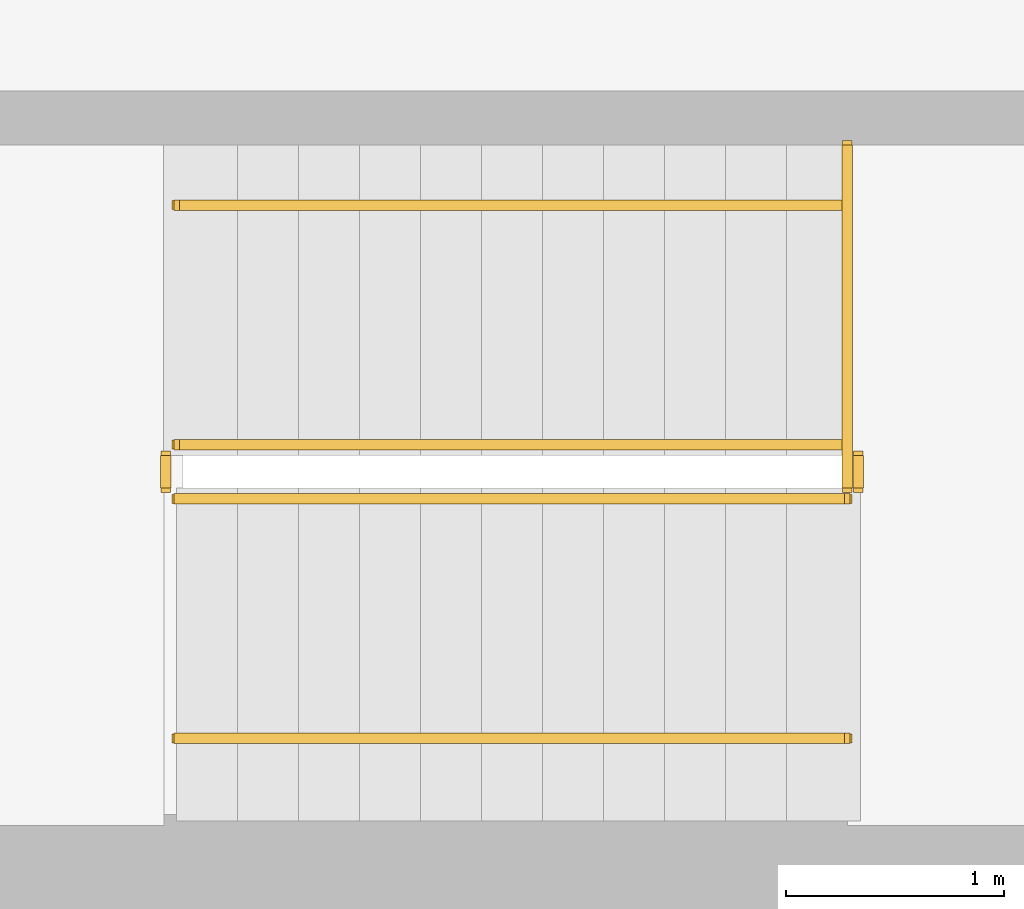
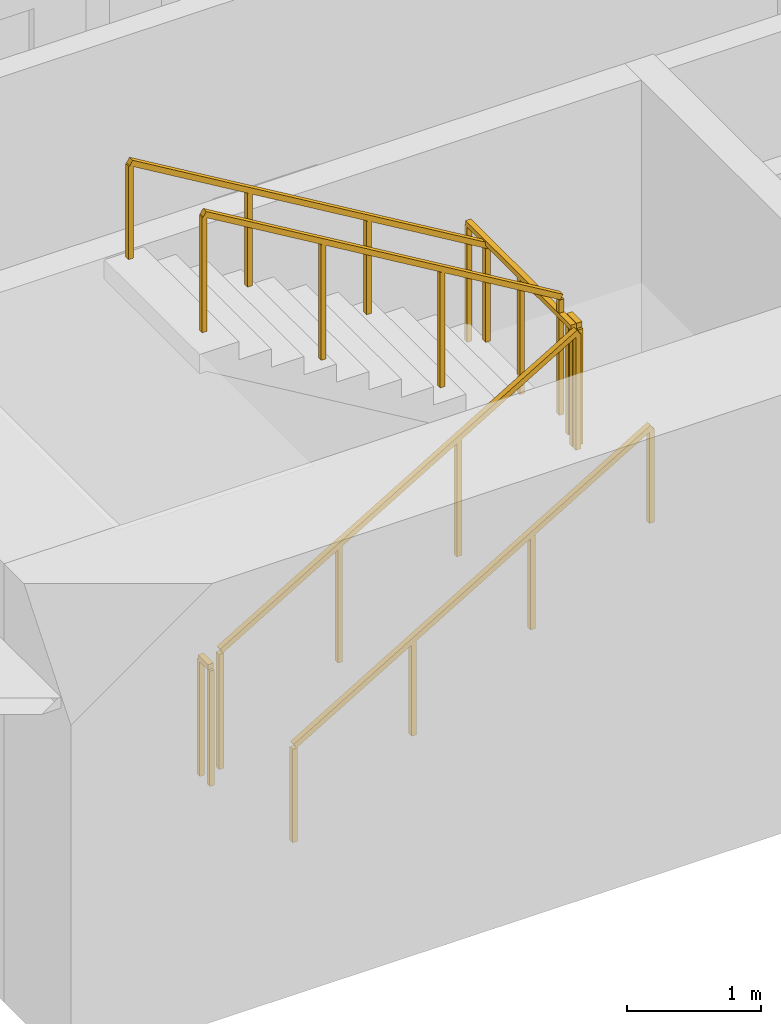
# One storey, part 13 of 16: 7 railings.
"""IFC4 building model written with IfcOpenShell, lengths in metres."""

from ifc_helpers import new_model, si_unit, direction, frame, origin, origin_2d, place, context, subcontext, project, spatial, rectangle, extrude, material, type_object, element, save


model = new_model("IFC4")

# Units and contexts
model_context = context("Model", 3, precision=1e-05, world=origin(), true_north=direction((0.0, 1.0)))
body_context = subcontext(model_context, "Body", "Model", "MODEL_VIEW")
ifc_project = project(units=[si_unit("LENGTHUNIT", "METRE"), si_unit("AREAUNIT", "SQUARE_METRE"), si_unit("VOLUMEUNIT", "CUBIC_METRE"), si_unit("PLANEANGLEUNIT", "RADIAN"), si_unit("MASSUNIT", "GRAM", prefix="KILO")], contexts=[model_context])

# Site, building, storey
site_placement = place(None, origin())
site = spatial("IfcSite", under=ifc_project, at=site_placement, CompositionType="ELEMENT")
building_placement = place(site_placement, origin())
building = spatial("IfcBuilding", under=site, at=building_placement, Name="Sennacour Bend Tower", CompositionType="ELEMENT")
storey_placement = place(building_placement, frame((0.0, 0.0, 171.0)))
storey = spatial("IfcBuildingStorey", under=building, at=storey_placement, Name="L39", CompositionType="ELEMENT", Elevation=171.0)

# Railings
ifc_material = material(Name="Stainless steel", Category="steel")
railing_type_1 = type_object("IfcRailingType", Name="RL-GUARD-1100", PredefinedType="GUARDRAIL", material=ifc_material)
railing_1_placement = place(storey_placement, frame((56.699951171875, 2.449951171875, 0.166748046875)))
element("IfcRailing", 1, at=railing_1_placement, inside=storey, type_object=railing_type_1, Name="L39 SA1 stair guard 1", PredefinedType="GUARDRAIL", context=body_context, shape_type="SweptSolid", body=[
    extrude(rectangle(XDim=0.048095703125, YDim=0.048095703125, at=origin_2d()), frame((0.0, 0.0, 1.076171875), z_axis=(0.859308565015, 0.0, 0.511457515432), x_axis=(0.0, 1.0, 0.0)), (0.0, 0.0, 1.0), 3.58447265625),
    extrude(rectangle(XDim=0.0419921875, YDim=0.0419921875, at=origin_2d()), origin(), (0.0, 0.0, 1.0), 1.052001953125),
    extrude(rectangle(XDim=0.0419921875, YDim=0.0419921875, at=origin_2d()), frame((1.026611328125, 0.0, 0.611083984375)), (0.0, 0.0, 1.0), 1.052001953125),
    extrude(rectangle(XDim=0.0419921875, YDim=0.0419921875, at=origin_2d()), frame((2.053466796875, 0.0, 1.22216796875)), (0.0, 0.0, 1.0), 1.052001953125),
    extrude(rectangle(XDim=0.0419921875, YDim=0.0419921875, at=origin_2d()), frame((3.080078125, 0.0, 1.833251953125)), (0.0, 0.0, 1.0), 1.052001953125),
])
railing_2_placement = place(storey_placement, frame((59.830078125, 2.5, 2.0)))
element("IfcRailing", 2, at=railing_2_placement, inside=storey, type_object=railing_type_1, Name="L39 SA1 stair guard 2", PredefinedType="GUARDRAIL", context=body_context, shape_type="SweptSolid", body=[
    extrude(rectangle(XDim=0.048095703125, YDim=0.048095703125, at=origin_2d()), frame((0.0, 0.0, 1.076171875), z_axis=(0.0, 1.0, 0.0), x_axis=(-1.0, 0.0, 0.0)), (0.0, 0.0, 1.0), 0.14990234375),
    extrude(rectangle(XDim=0.0419921875, YDim=0.0419921875, at=origin_2d()), origin(), (0.0, 0.0, 1.0), 1.052001953125),
    extrude(rectangle(XDim=0.0419921875, YDim=0.0419921875, at=origin_2d()), frame((0.0, 0.14990234375, 0.0)), (0.0, 0.0, 1.0), 1.052001953125),
])
railing_3_placement = place(storey_placement, frame((59.780029296875, 2.699951171875, 2.166748046875)))
element("IfcRailing", 3, at=railing_3_placement, inside=storey, type_object=railing_type_1, Name="L39 SA1 stair guard 4", PredefinedType="GUARDRAIL", context=body_context, shape_type="SweptSolid", body=[
    extrude(rectangle(XDim=0.048095703125, YDim=0.048095703125, at=origin_2d()), frame((0.0, 0.0, 1.076171875), z_axis=(-0.859308565015, 0.0, 0.511457515432), x_axis=(0.0, -1.0, 0.0)), (0.0, 0.0, 1.0), 3.58447265625),
    extrude(rectangle(XDim=0.0419921875, YDim=0.0419921875, at=origin_2d()), origin(), (0.0, 0.0, 1.0), 1.052001953125),
    extrude(rectangle(XDim=0.0419921875, YDim=0.0419921875, at=origin_2d()), frame((-1.026611328125, 0.0, 0.611083984375)), (0.0, 0.0, 1.0), 1.052001953125),
    extrude(rectangle(XDim=0.0419921875, YDim=0.0419921875, at=origin_2d()), frame((-2.053466796875, 0.0, 1.22216796875)), (0.0, 0.0, 1.0), 1.052001953125),
    extrude(rectangle(XDim=0.0419921875, YDim=0.0419921875, at=origin_2d()), frame((-3.080078125, 0.0, 1.833251953125)), (0.0, 0.0, 1.0), 1.052001953125),
])
railing_4_placement = place(storey_placement, frame((56.64990234375, 2.5, 0.0)))
element("IfcRailing", 4, at=railing_4_placement, inside=storey, type_object=railing_type_1, Name="L39 SA1 stair guard 5", PredefinedType="GUARDRAIL", context=body_context, shape_type="SweptSolid", body=[
    extrude(rectangle(XDim=0.048095703125, YDim=0.048095703125, at=origin_2d()), frame((0.0, 0.0, 1.076171875), z_axis=(0.0, 1.0, 0.0), x_axis=(-1.0, 0.0, 0.0)), (0.0, 0.0, 1.0), 0.14990234375),
    extrude(rectangle(XDim=0.0419921875, YDim=0.0419921875, at=origin_2d()), origin(), (0.0, 0.0, 1.0), 1.052001953125),
    extrude(rectangle(XDim=0.0419921875, YDim=0.0419921875, at=origin_2d()), frame((0.0, 0.14990234375, 0.0)), (0.0, 0.0, 1.0), 1.052001953125),
])
railing_5_placement = place(storey_placement, frame((59.780029296875, 2.5, 2.0)))
element("IfcRailing", 5, at=railing_5_placement, inside=storey, type_object=railing_type_1, Name="L39 SA1 landing edge guard 59", PredefinedType="GUARDRAIL", context=body_context, shape_type="SweptSolid", body=[
    extrude(rectangle(XDim=0.048095703125, YDim=0.048095703125, at=origin_2d()), frame((0.0, 0.0, 1.076171875), z_axis=(0.0, 1.0, 0.0), x_axis=(-1.0, 0.0, 0.0)), (0.0, 0.0, 1.0), 1.574951171875),
    extrude(rectangle(XDim=0.0419921875, YDim=0.0419921875, at=origin_2d()), origin(), (0.0, 0.0, 1.0), 1.052001953125),
    extrude(rectangle(XDim=0.0419921875, YDim=0.0419921875, at=origin_2d()), frame((0.0, 0.78759765625, 0.0)), (0.0, 0.0, 1.0), 1.052001953125),
    extrude(rectangle(XDim=0.0419921875, YDim=0.0419921875, at=origin_2d()), frame((0.0, 1.574951171875, 0.0)), (0.0, 0.0, 1.0), 1.052001953125),
])
railing_type_2 = type_object("IfcRailingType", Name="RL-HANDRAIL-900", PredefinedType="HANDRAIL", material=ifc_material)
railing_6_placement = place(storey_placement, frame((56.699951171875, 1.35009765625, 0.166748046875)))
element("IfcRailing", 6, at=railing_6_placement, inside=storey, type_object=railing_type_2, Name="L39 SA1 stair handrail 1", PredefinedType="HANDRAIL", context=body_context, shape_type="SweptSolid", body=[
    extrude(rectangle(XDim=0.048095703125, YDim=0.048095703125, at=origin_2d()), frame((0.0, 0.0, 0.8759765625), z_axis=(0.859308565015, 0.0, 0.511457515432), x_axis=(0.0, 1.0, 0.0)), (0.0, 0.0, 1.0), 3.58447265625),
    extrude(rectangle(XDim=0.0419921875, YDim=0.0419921875, at=origin_2d()), origin(), (0.0, 0.0, 1.0), 0.851806640625),
    extrude(rectangle(XDim=0.0419921875, YDim=0.0419921875, at=origin_2d()), frame((1.026611328125, 0.0, 0.611083984375)), (0.0, 0.0, 1.0), 0.851806640625),
    extrude(rectangle(XDim=0.0419921875, YDim=0.0419921875, at=origin_2d()), frame((2.053466796875, 0.0, 1.22216796875)), (0.0, 0.0, 1.0), 0.851806640625),
    extrude(rectangle(XDim=0.0419921875, YDim=0.0419921875, at=origin_2d()), frame((3.080078125, 0.0, 1.833251953125)), (0.0, 0.0, 1.0), 0.851806640625),
])
railing_7_placement = place(storey_placement, frame((59.780029296875, 3.800048828125, 2.166748046875)))
element("IfcRailing", 7, at=railing_7_placement, inside=storey, type_object=railing_type_2, Name="L39 SA1 stair handrail 2", PredefinedType="HANDRAIL", context=body_context, shape_type="SweptSolid", body=[
    extrude(rectangle(XDim=0.048095703125, YDim=0.048095703125, at=origin_2d()), frame((0.0, 0.0, 0.8759765625), z_axis=(-0.859308565015, 0.0, 0.511457515432), x_axis=(0.0, -1.0, 0.0)), (0.0, 0.0, 1.0), 3.58447265625),
    extrude(rectangle(XDim=0.0419921875, YDim=0.0419921875, at=origin_2d()), origin(), (0.0, 0.0, 1.0), 0.851806640625),
    extrude(rectangle(XDim=0.0419921875, YDim=0.0419921875, at=origin_2d()), frame((-1.026611328125, 0.0, 0.611083984375)), (0.0, 0.0, 1.0), 0.851806640625),
    extrude(rectangle(XDim=0.0419921875, YDim=0.0419921875, at=origin_2d()), frame((-2.053466796875, 0.0, 1.22216796875)), (0.0, 0.0, 1.0), 0.851806640625),
    extrude(rectangle(XDim=0.0419921875, YDim=0.0419921875, at=origin_2d()), frame((-3.080078125, 0.0, 1.833251953125)), (0.0, 0.0, 1.0), 0.851806640625),
])

save(model, "model.ifc")
